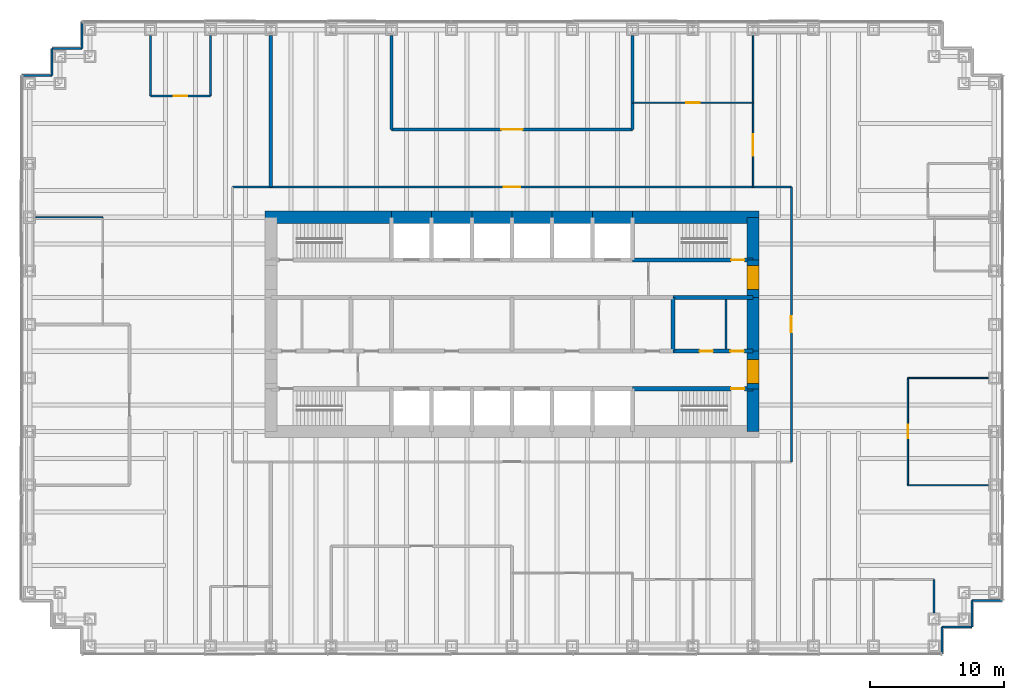
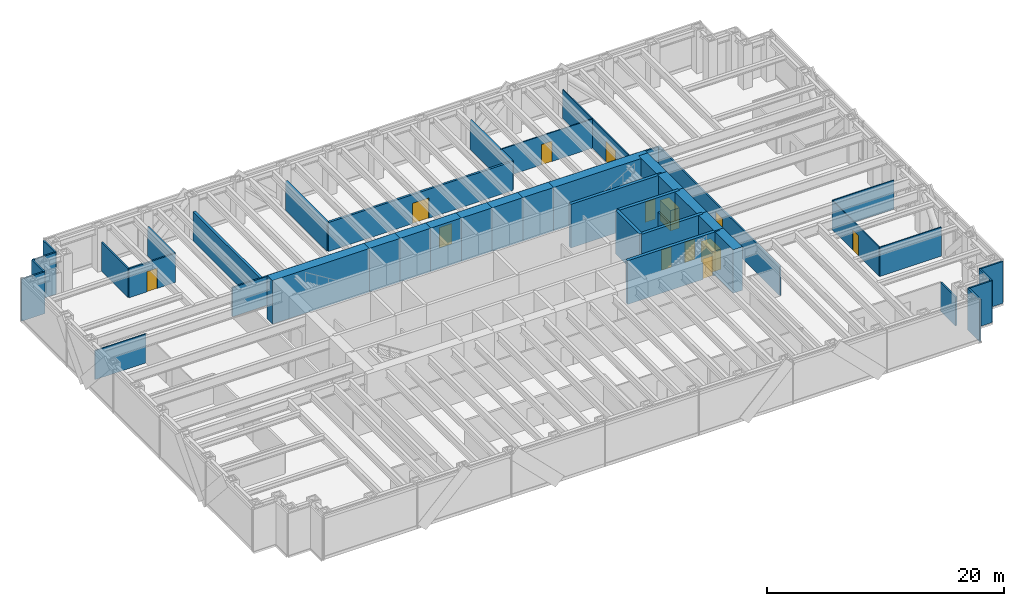
# One storey, part 11 of 13: 43 walls, 13 doors, 13 openings.
"""IFC4 building model written with IfcOpenShell, lengths in metres."""

from ifc_helpers import new_model, si_unit, direction, frame, frame_2d, origin, place, context, subcontext, project, spatial, rectangle, extrude, material, layer, layer_set, type_object, element, fill, save


model = new_model("IFC4")

# Units and contexts
model_context = context("Model", 3, precision=1e-05, world=origin(), true_north=direction((0.0, 1.0)))
body_context = subcontext(model_context, "Body", "Model", "MODEL_VIEW")
ifc_project = project(units=[si_unit("LENGTHUNIT", "METRE"), si_unit("AREAUNIT", "SQUARE_METRE"), si_unit("VOLUMEUNIT", "CUBIC_METRE"), si_unit("PLANEANGLEUNIT", "RADIAN"), si_unit("MASSUNIT", "GRAM", prefix="KILO")], contexts=[model_context])

# Site, building, storey
site_placement = place(None, origin())
site = spatial("IfcSite", under=ifc_project, at=site_placement, CompositionType="ELEMENT")
building_placement = place(site_placement, origin())
building = spatial("IfcBuilding", under=site, at=building_placement, Name="Rheinbord Bourse Tower", CompositionType="ELEMENT")
storey_placement = place(building_placement, frame((0.0, 0.0, 72.5)))
storey = spatial("IfcBuildingStorey", under=building, at=storey_placement, Name="L15", CompositionType="ELEMENT", Elevation=72.5)

# Wall, opening, door
ifc_material_1 = material(Name="Acoustic gypsum board partition", Category="gypsum board")
ifc_layer_1 = layer(ifc_material_1, 0.199951171875)
ifc_layer_set_1 = layer_set([ifc_layer_1], Name="ACOUSTIC PARTITION 200")
wall_type_1 = type_object("IfcWallType", Name="ACOUSTIC PARTITION 200", PredefinedType="PARTITIONING", material=ifc_layer_set_1)
wall_1_placement = place(storey_placement, frame((27.0, 38.550048828125, 0.0), z_axis=(0.0, 0.0, 1.0), x_axis=(1.0, 0.0, 0.0)))
wall_1 = element("IfcWall", 1, at=wall_1_placement, inside=storey, type_object=wall_type_1, Name="Partition L15-18", PredefinedType="PARTITIONING", context=body_context, shape_type="SweptSolid", body=[
    extrude(rectangle(XDim=18.0, YDim=0.199951171875, at=frame_2d((9.0, 0.0))), origin(), (0.0, 0.0, 1.0), 3.0),
])
opening_1_placement = place(wall_1_placement, frame((8.199951171875, 0.0, 0.0)))
opening_1 = element("IfcOpeningElement", 2, at=opening_1_placement, cuts=wall_1, Name="Opening 15D13", PredefinedType="OPENING", context=body_context, shape_type="SweptSolid", body=[
    extrude(rectangle(XDim=1.60009765625, YDim=2.10009765625, at=frame_2d((0.800048828125, 1.050048828125))), frame((0.0, 0.10986328125, 0.0), z_axis=(0.0, -1.0, 0.0), x_axis=(1.0, 0.0, 0.0)), (0.0, 0.0, 1.0), 0.219970703125),
])
ifc_material_2 = material(Name="Timber door", Category="wood")
door_type_1 = type_object("IfcDoorType", Name="DOUBLE ROOM DOOR 1600", OperationType="DOUBLE_DOOR_DOUBLE_SWING", PredefinedType="DOOR", material=ifc_material_2)
door_1_placement = place(opening_1_placement, origin())
door_1 = element("IfcDoor", 3, at=door_1_placement, inside=storey, type_object=door_type_1, Name="Trading room door L15", OperationType="SINGLE_SWING_LEFT", OverallHeight=2.10009765625, OverallWidth=1.60009765625, PredefinedType="DOOR", context=body_context, shape_type="SweptSolid", body=[
    extrude(rectangle(XDim=1.60009765625, YDim=2.10009765625, at=frame_2d((0.800048828125, 1.050048828125))), frame((0.0, 0.02490234375, 0.0), z_axis=(0.0, -1.0, 0.0), x_axis=(1.0, 0.0, 0.0)), (0.0, 0.0, 1.0), 0.050048828125),
])
fill(opening_1, door_1)

# Walls
for number, where, z_axis, x_axis, name in (
    (4, (27.0, 38.550048828125, 0.0), (0.0, 0.0, 1.0), (0.0, 1.0, 0.0), "Partition L15-30"),
    (5, (45.0, 38.550048828125, 0.0), (0.0, 0.0, 1.0), (0.0, 1.0, 0.0), "Partition L15-34"),
):
    element("IfcWall", number, at=place(storey_placement, frame(where, z_axis=z_axis, x_axis=x_axis)), inside=storey, type_object=wall_type_1, Name=name, PredefinedType="PARTITIONING", context=body_context, shape_type="SweptSolid", body=[
        extrude(rectangle(XDim=7.0, YDim=0.199951171875, at=frame_2d((3.5, 0.0))), origin(), (0.0, 0.0, 1.0), 3.0),
    ])

# Wall, opening, door
ifc_material_3 = material(Name="Concrete C50/60", Category="concrete")
ifc_layer_2 = layer(ifc_material_3, 0.300048828125)
ifc_layer_set_2 = layer_set([ifc_layer_2], Name="CORE INNER WALL 300")
wall_type_2 = type_object("IfcWallType", Name="CORE INNER WALL 300", PredefinedType="SOLIDWALL", material=ifc_layer_set_2)
wall_2_placement = place(storey_placement, frame((45.0, 19.199951171875, 0.0), z_axis=(0.0, 0.0, 1.0), x_axis=(1.0, 0.0, 0.0)))
wall_2 = element("IfcWall", 6, at=wall_2_placement, inside=storey, type_object=wall_type_2, Name="Core wall A8 L15", PredefinedType="SOLIDWALL", context=body_context, shape_type="SweptSolid", body=[
    extrude(rectangle(XDim=9.0, YDim=0.300048828125, at=frame_2d((4.5, 0.0))), origin(), (0.0, 0.0, 1.0), 4.5),
])
opening_2_placement = place(wall_2_placement, frame((7.35009765625, 0.0, 0.0)))
opening_2 = element("IfcOpeningElement", 7, at=opening_2_placement, cuts=wall_2, Name="Opening 1530", PredefinedType="OPENING", context=body_context, shape_type="SweptSolid", body=[
    extrude(rectangle(XDim=1.0, YDim=2.10009765625, at=frame_2d((0.5, 1.050048828125))), frame((0.0, 0.159912109375, 0.0), z_axis=(0.0, -1.0, 0.0), x_axis=(1.0, 0.0, 0.0)), (0.0, 0.0, 1.0), 0.320068359375),
])
ifc_material_4 = material(Name="Steel door", Category="steel")
door_type_2 = type_object("IfcDoorType", Name="DOOR 1000 EI30", OperationType="SINGLE_SWING_LEFT", PredefinedType="DOOR", material=ifc_material_4)
door_2_placement = place(opening_2_placement, origin())
door_2 = element("IfcDoor", 8, at=door_2_placement, inside=storey, type_object=door_type_2, Name="Stair door ST3 L15", OperationType="SINGLE_SWING_RIGHT", OverallHeight=2.10009765625, OverallWidth=1.0, PredefinedType="DOOR", context=body_context, shape_type="SweptSolid", body=[
    extrude(rectangle(XDim=1.0, YDim=2.10009765625, at=frame_2d((0.5, 1.050048828125))), frame((0.0, 0.02490234375, 0.0), z_axis=(0.0, -1.0, 0.0), x_axis=(1.0, 0.0, 0.0)), (0.0, 0.0, 1.0), 0.050048828125),
])
fill(opening_2, door_2)

wall_3_placement = place(storey_placement, frame((45.0, 28.800048828125, 0.0), z_axis=(0.0, 0.0, 1.0), x_axis=(1.0, 0.0, 0.0)))
wall_3 = element("IfcWall", 9, at=wall_3_placement, inside=storey, type_object=wall_type_2, Name="Core wall B8 L15", PredefinedType="SOLIDWALL", context=body_context, shape_type="SweptSolid", body=[
    extrude(rectangle(XDim=9.0, YDim=0.300048828125, at=frame_2d((4.5, 0.0))), origin(), (0.0, 0.0, 1.0), 4.5),
])
opening_3_placement = place(wall_3_placement, frame((7.35009765625, 0.0, 0.0)))
opening_3 = element("IfcOpeningElement", 10, at=opening_3_placement, cuts=wall_3, Name="Opening 1540", PredefinedType="OPENING", context=body_context, shape_type="SweptSolid", body=[
    extrude(rectangle(XDim=1.0, YDim=2.10009765625, at=frame_2d((0.5, 1.050048828125))), frame((0.0, 0.159912109375, 0.0), z_axis=(0.0, -1.0, 0.0), x_axis=(1.0, 0.0, 0.0)), (0.0, 0.0, 1.0), 0.320068359375),
])
door_3_placement = place(opening_3_placement, origin())
door_3 = element("IfcDoor", 11, at=door_3_placement, inside=storey, type_object=door_type_2, Name="Stair door ST4 L15", OperationType="SINGLE_SWING_RIGHT", OverallHeight=2.10009765625, OverallWidth=1.0, PredefinedType="DOOR", context=body_context, shape_type="SweptSolid", body=[
    extrude(rectangle(XDim=1.0, YDim=2.10009765625, at=frame_2d((0.5, 1.050048828125))), frame((0.0, 0.02490234375, 0.0), z_axis=(0.0, -1.0, 0.0), x_axis=(1.0, 0.0, 0.0)), (0.0, 0.0, 1.0), 0.050048828125),
])
fill(opening_3, door_3)

# Wall, openings, doors
wall_4_placement = place(storey_placement, frame((48.0, 22.0, 0.0), z_axis=(0.0, 0.0, 1.0), x_axis=(1.0, 0.0, 0.0)))
wall_4 = element("IfcWall", 12, at=wall_4_placement, inside=storey, type_object=wall_type_2, Name="Core wall C6 L15", PredefinedType="SOLIDWALL", context=body_context, shape_type="SweptSolid", body=[
    extrude(rectangle(XDim=6.0, YDim=0.300048828125, at=frame_2d((3.0, 0.0))), origin(), (0.0, 0.0, 1.0), 4.5),
])
opening_4_placement = place(wall_4_placement, frame((2.0, 0.0, 0.0)))
opening_4 = element("IfcOpeningElement", 13, at=opening_4_placement, cuts=wall_4, Name="Opening 15R6", PredefinedType="OPENING", context=body_context, shape_type="SweptSolid", body=[
    extrude(rectangle(XDim=1.0, YDim=2.10009765625, at=frame_2d((0.5, 1.050048828125))), frame((0.0, 0.159912109375, 0.0), z_axis=(0.0, -1.0, 0.0), x_axis=(1.0, 0.0, 0.0)), (0.0, 0.0, 1.0), 0.320068359375),
])
opening_5_placement = place(wall_4_placement, frame((4.300048828125, 0.0, 0.0)))
opening_5 = element("IfcOpeningElement", 14, at=opening_5_placement, cuts=wall_4, Name="Opening 15R10", PredefinedType="OPENING", context=body_context, shape_type="SweptSolid", body=[
    extrude(rectangle(XDim=1.0, YDim=2.10009765625, at=frame_2d((0.5, 1.050048828125))), frame((0.0, 0.159912109375, 0.0), z_axis=(0.0, -1.0, 0.0), x_axis=(1.0, 0.0, 0.0)), (0.0, 0.0, 1.0), 0.320068359375),
])
door_4_placement = place(opening_5_placement, origin())
door_4 = element("IfcDoor", 15, at=door_4_placement, inside=storey, type_object=door_type_2, Name="Cleaner's store door L15", OperationType="SINGLE_SWING_RIGHT", OverallHeight=2.10009765625, OverallWidth=1.0, PredefinedType="DOOR", context=body_context, shape_type="SweptSolid", body=[
    extrude(rectangle(XDim=1.0, YDim=2.10009765625, at=frame_2d((0.5, 1.050048828125))), frame((0.0, 0.02490234375, 0.0), z_axis=(0.0, -1.0, 0.0), x_axis=(1.0, 0.0, 0.0)), (0.0, 0.0, 1.0), 0.050048828125),
])
fill(opening_5, door_4)
ifc_material_5 = material(Name="Timber door", Category="wood")
door_type_3 = type_object("IfcDoorType", Name="DOOR 1000 WC", OperationType="SINGLE_SWING_LEFT", PredefinedType="DOOR", material=ifc_material_5)
door_5_placement = place(opening_4_placement, origin())
door_5 = element("IfcDoor", 16, at=door_5_placement, inside=storey, type_object=door_type_3, Name="WC women door L15", OperationType="SINGLE_SWING_LEFT", OverallHeight=2.10009765625, OverallWidth=1.0, PredefinedType="DOOR", context=body_context, shape_type="SweptSolid", body=[
    extrude(rectangle(XDim=1.0, YDim=2.10009765625, at=frame_2d((0.5, 1.050048828125))), frame((0.0, 0.02490234375, 0.0), z_axis=(0.0, -1.0, 0.0), x_axis=(1.0, 0.0, 0.0)), (0.0, 0.0, 1.0), 0.050048828125),
])
fill(opening_4, door_5)

# Walls
wall_5_placement = place(storey_placement, frame((48.0, 26.0, 0.0), z_axis=(0.0, 0.0, 1.0), x_axis=(1.0, 0.0, 0.0)))
element("IfcWall", 17, at=wall_5_placement, inside=storey, type_object=wall_type_2, Name="Core wall D6 L15", PredefinedType="SOLIDWALL", context=body_context, shape_type="SweptSolid", body=[
    extrude(rectangle(XDim=6.0, YDim=0.300048828125, at=frame_2d((3.0, 0.0))), origin(), (0.0, 0.0, 1.0), 4.5),
])
wall_6_placement = place(storey_placement, frame((48.0, 22.0, 0.0), z_axis=(0.0, 0.0, 1.0), x_axis=(0.0, 1.0, 0.0)))
element("IfcWall", 18, at=wall_6_placement, inside=storey, type_object=wall_type_2, Name="Core wall MX48 L15", PredefinedType="SOLIDWALL", context=body_context, shape_type="SweptSolid", body=[
    extrude(rectangle(XDim=4.0, YDim=0.300048828125, at=frame_2d((2.0, 0.0))), origin(), (0.0, 0.0, 1.0), 4.5),
])
ifc_material_6 = material(Name="Gypsum board fire partition", Category="gypsum board")
ifc_layer_3 = layer(ifc_material_6, 0.14990234375)
ifc_layer_set_3 = layer_set([ifc_layer_3], Name="CORE PARTITION 150 EI30")
wall_type_3 = type_object("IfcWallType", Name="CORE PARTITION 150 EI30", PredefinedType="PARTITIONING", material=ifc_layer_set_3)
wall_7_placement = place(storey_placement, frame((51.97509765625, 22.14990234375, 0.0), z_axis=(0.0, 0.0, 1.0), x_axis=(0.0, 1.0, 0.0)))
element("IfcWall", 19, at=wall_7_placement, inside=storey, type_object=wall_type_3, Name="Core partition L15-3", PredefinedType="PARTITIONING", context=body_context, shape_type="SweptSolid", body=[
    extrude(rectangle(XDim=3.7001953125, YDim=0.14990234375, at=frame_2d((1.85009765625, 0.0))), origin(), (0.0, 0.0, 1.0), 3.0),
])
ifc_material_7 = material(Name="Concrete C50/60", Category="concrete")
ifc_layer_4 = layer(ifc_material_7, 0.89990234375)
ifc_layer_set_4 = layer_set([ifc_layer_4], Name="CORE WALL 900")
wall_type_4 = type_object("IfcWallType", Name="CORE WALL 900", PredefinedType="SHEAR", material=ifc_layer_set_4)
wall_8_placement = place(storey_placement, frame((54.449951171875, 32.0, 0.0), z_axis=(0.0, 0.0, 1.0), x_axis=(-1.0, 0.0, 0.0)))
element("IfcWall", 20, at=wall_8_placement, inside=storey, type_object=wall_type_4, Name="Core wall N1 L15", PredefinedType="SHEAR", context=body_context, shape_type="SweptSolid", body=[
    extrude(rectangle(XDim=9.449951171875, YDim=0.89990234375, at=frame_2d((4.72509765625, 0.0))), origin(), (0.0, 0.0, 1.0), 4.5),
])
for number, where, z_axis, x_axis, name in (
    (21, (45.0, 32.0, 0.0), (0.0, 0.0, 1.0), (-1.0, 0.0, 0.0), "Core wall N2 L15"),
    (22, (42.0, 32.0, 0.0), (0.0, 0.0, 1.0), (-1.0, 0.0, 0.0), "Core wall N3 L15"),
    (23, (39.0, 32.0, 0.0), (0.0, 0.0, 1.0), (-1.0, 0.0, 0.0), "Core wall N4 L15"),
    (24, (36.0, 32.0, 0.0), (0.0, 0.0, 1.0), (-1.0, 0.0, 0.0), "Core wall N5 L15"),
    (25, (33.0, 32.0, 0.0), (0.0, 0.0, 1.0), (-1.0, 0.0, 0.0), "Core wall N6 L15"),
    (26, (30.0, 32.0, 0.0), (0.0, 0.0, 1.0), (-1.0, 0.0, 0.0), "Core wall N7 L15"),
):
    element("IfcWall", number, at=place(storey_placement, frame(where, z_axis=z_axis, x_axis=x_axis)), inside=storey, type_object=wall_type_4, Name=name, PredefinedType="SHEAR", context=body_context, shape_type="SweptSolid", body=[
        extrude(rectangle(XDim=3.0, YDim=0.89990234375, at=frame_2d((1.5, 0.0))), origin(), (0.0, 0.0, 1.0), 4.5),
    ])
wall_9_placement = place(storey_placement, frame((27.0, 32.0, 0.0), z_axis=(0.0, 0.0, 1.0), x_axis=(-1.0, 0.0, 0.0)))
element("IfcWall", 27, at=wall_9_placement, inside=storey, type_object=wall_type_4, Name="Core wall N8 L15", PredefinedType="SHEAR", context=body_context, shape_type="SweptSolid", body=[
    extrude(rectangle(XDim=9.449951171875, YDim=0.89990234375, at=frame_2d((4.72509765625, 0.0))), origin(), (0.0, 0.0, 1.0), 4.5),
])
wall_10_placement = place(storey_placement, frame((54.0, 16.0, 0.0), z_axis=(0.0, 0.0, 1.0), x_axis=(0.0, 1.0, 0.0)))
element("IfcWall", 28, at=wall_10_placement, inside=storey, type_object=wall_type_4, Name="Core wall E1 L15", PredefinedType="SHEAR", context=body_context, shape_type="SweptSolid", body=[
    extrude(rectangle(XDim=3.199951171875, YDim=0.89990234375, at=frame_2d((1.60009765625, 0.0))), origin(), (0.0, 0.0, 1.0), 4.5),
])

# Wall, opening, door
wall_11_placement = place(storey_placement, frame((54.0, 19.199951171875, 0.0), z_axis=(0.0, 0.0, 1.0), x_axis=(0.0, 1.0, 0.0)))
wall_11 = element("IfcWall", 29, at=wall_11_placement, inside=storey, type_object=wall_type_4, Name="Core wall E2 L15", PredefinedType="SHEAR", context=body_context, shape_type="SweptSolid", body=[
    extrude(rectangle(XDim=2.800048828125, YDim=0.89990234375, at=frame_2d((1.39990234375, 0.0))), origin(), (0.0, 0.0, 1.0), 4.5),
])
opening_6_placement = place(wall_11_placement, frame((0.39990234375, 0.0, 0.0)))
opening_6 = element("IfcOpeningElement", 30, at=opening_6_placement, cuts=wall_11, Name="Opening 15L3", PredefinedType="OPENING", context=body_context, shape_type="SweptSolid", body=[
    extrude(rectangle(XDim=1.800048828125, YDim=2.10009765625, at=frame_2d((0.89990234375, 1.050048828125))), frame((0.0, 0.4599609375, 0.0), z_axis=(0.0, -1.0, 0.0), x_axis=(1.0, 0.0, 0.0)), (0.0, 0.0, 1.0), 0.919921875),
])
ifc_material_8 = material(Name="Steel door", Category="steel")
door_type_4 = type_object("IfcDoorType", Name="DOOR 1800 EI30 DOUBLE", OperationType="DOUBLE_DOOR_DOUBLE_SWING", PredefinedType="DOOR", material=ifc_material_8)
door_6_placement = place(opening_6_placement, origin())
door_6 = element("IfcDoor", 31, at=door_6_placement, inside=storey, type_object=door_type_4, Name="Lobby door 3 L15", OperationType="SINGLE_SWING_LEFT", OverallHeight=2.10009765625, OverallWidth=1.800048828125, PredefinedType="DOOR", context=body_context, shape_type="SweptSolid", body=[
    extrude(rectangle(XDim=1.800048828125, YDim=2.10009765625, at=frame_2d((0.89990234375, 1.050048828125))), frame((0.0, 0.44970703125, 0.0), z_axis=(0.0, -1.0, 0.0), x_axis=(1.0, 0.0, 0.0)), (0.0, 0.0, 1.0), 0.8994140625),
])
fill(opening_6, door_6)

# Wall
wall_12_placement = place(storey_placement, frame((54.0, 22.0, 0.0), z_axis=(0.0, 0.0, 1.0), x_axis=(0.0, 1.0, 0.0)))
element("IfcWall", 32, at=wall_12_placement, inside=storey, type_object=wall_type_4, Name="Core wall E3 L15", PredefinedType="SHEAR", context=body_context, shape_type="SweptSolid", body=[
    extrude(rectangle(XDim=4.0, YDim=0.89990234375, at=frame_2d((2.0, 0.0))), origin(), (0.0, 0.0, 1.0), 4.5),
])

# Wall, opening, door
wall_13_placement = place(storey_placement, frame((54.0, 26.0, 0.0), z_axis=(0.0, 0.0, 1.0), x_axis=(0.0, 1.0, 0.0)))
wall_13 = element("IfcWall", 33, at=wall_13_placement, inside=storey, type_object=wall_type_4, Name="Core wall E4 L15", PredefinedType="SHEAR", context=body_context, shape_type="SweptSolid", body=[
    extrude(rectangle(XDim=2.800048828125, YDim=0.89990234375, at=frame_2d((1.39990234375, 0.0))), origin(), (0.0, 0.0, 1.0), 4.5),
])
opening_7_placement = place(wall_13_placement, frame((0.60009765625, 0.0, 0.0)))
opening_7 = element("IfcOpeningElement", 34, at=opening_7_placement, cuts=wall_13, Name="Opening 15L4", PredefinedType="OPENING", context=body_context, shape_type="SweptSolid", body=[
    extrude(rectangle(XDim=1.800048828125, YDim=2.10009765625, at=frame_2d((0.89990234375, 1.050048828125))), frame((0.0, 0.4599609375, 0.0), z_axis=(0.0, -1.0, 0.0), x_axis=(1.0, 0.0, 0.0)), (0.0, 0.0, 1.0), 0.919921875),
])
door_7_placement = place(opening_7_placement, origin())
door_7 = element("IfcDoor", 35, at=door_7_placement, inside=storey, type_object=door_type_4, Name="Lobby door 4 L15", OperationType="SINGLE_SWING_LEFT", OverallHeight=2.10009765625, OverallWidth=1.800048828125, PredefinedType="DOOR", context=body_context, shape_type="SweptSolid", body=[
    extrude(rectangle(XDim=1.800048828125, YDim=2.10009765625, at=frame_2d((0.89990234375, 1.050048828125))), frame((0.0, 0.44970703125, 0.0), z_axis=(0.0, -1.0, 0.0), x_axis=(1.0, 0.0, 0.0)), (0.0, 0.0, 1.0), 0.8994140625),
])
fill(opening_7, door_7)

# Walls
wall_14_placement = place(storey_placement, frame((54.0, 28.800048828125, 0.0), z_axis=(0.0, 0.0, 1.0), x_axis=(0.0, 1.0, 0.0)))
element("IfcWall", 36, at=wall_14_placement, inside=storey, type_object=wall_type_4, Name="Core wall E5 L15", PredefinedType="SHEAR", context=body_context, shape_type="SweptSolid", body=[
    extrude(rectangle(XDim=3.199951171875, YDim=0.89990234375, at=frame_2d((1.60009765625, 0.0))), origin(), (0.0, 0.0, 1.0), 4.5),
])
ifc_material_9 = material(Name="Black metal rainscreen panel", Category="aluminium")
ifc_layer_5 = layer(ifc_material_9, 0.14990234375)
ifc_layer_set_5 = layer_set([ifc_layer_5], Name="CORNER PIER CLADDING 150")
wall_type_5 = type_object("IfcWallType", Name="CORNER PIER CLADDING 150", PredefinedType="ELEMENTEDWALL", material=ifc_layer_set_5)
wall_15_placement = place(storey_placement, frame((68.10009765625, -0.60009765625, 0.0), z_axis=(0.0, 0.0, 1.0), x_axis=(0.0, 1.0, 0.0)))
element("IfcWall", 37, at=wall_15_placement, inside=storey, type_object=wall_type_5, Name="Corner pier cladding L15 2", PredefinedType="ELEMENTEDWALL", context=body_context, shape_type="SweptSolid", body=[
    extrude(rectangle(XDim=2.0, YDim=0.14990234375, at=frame_2d((1.0, 0.0))), origin(), (0.0, 0.0, 1.0), 4.320068359375),
])
wall_16_placement = place(storey_placement, frame((68.10009765625, 1.39990234375, 0.0), z_axis=(0.0, 0.0, 1.0), x_axis=(1.0, 0.0, 0.0)))
element("IfcWall", 38, at=wall_16_placement, inside=storey, type_object=wall_type_5, Name="Corner pier cladding L15 3", PredefinedType="ELEMENTEDWALL", context=body_context, shape_type="SweptSolid", body=[
    extrude(rectangle(XDim=2.25, YDim=0.14990234375, at=frame_2d((1.125, 0.0))), origin(), (0.0, 0.0, 1.0), 4.320068359375),
])
wall_17_placement = place(storey_placement, frame((70.35009765625, 1.39990234375, 0.0), z_axis=(0.0, 0.0, 1.0), x_axis=(0.0, 1.0, 0.0)))
element("IfcWall", 39, at=wall_17_placement, inside=storey, type_object=wall_type_5, Name="Corner pier cladding L15 4", PredefinedType="ELEMENTEDWALL", context=body_context, shape_type="SweptSolid", body=[
    extrude(rectangle(XDim=2.0, YDim=0.14990234375, at=frame_2d((1.0, 0.0))), origin(), (0.0, 0.0, 1.0), 4.320068359375),
])
wall_18_placement = place(storey_placement, frame((70.35009765625, 3.39990234375, 0.0), z_axis=(0.0, 0.0, 1.0), x_axis=(1.0, 0.0, 0.0)))
element("IfcWall", 40, at=wall_18_placement, inside=storey, type_object=wall_type_5, Name="Corner pier cladding L15 5", PredefinedType="ELEMENTEDWALL", context=body_context, shape_type="SweptSolid", body=[
    extrude(rectangle(XDim=2.25, YDim=0.14990234375, at=frame_2d((1.125, 0.0))), origin(), (0.0, 0.0, 1.0), 4.320068359375),
])
wall_19_placement = place(storey_placement, frame((3.89990234375, 46.60009765625, 0.0), z_axis=(0.0, 0.0, 1.0), x_axis=(0.0, -1.0, 0.0)))
element("IfcWall", 41, at=wall_19_placement, inside=storey, type_object=wall_type_5, Name="Corner pier cladding L15 12", PredefinedType="ELEMENTEDWALL", context=body_context, shape_type="SweptSolid", body=[
    extrude(rectangle(XDim=2.0, YDim=0.14990234375, at=frame_2d((1.0, 0.0))), origin(), (0.0, 0.0, 1.0), 4.320068359375),
])
wall_20_placement = place(storey_placement, frame((3.89990234375, 44.60009765625, 0.0), z_axis=(0.0, 0.0, 1.0), x_axis=(-1.0, 0.0, 0.0)))
element("IfcWall", 42, at=wall_20_placement, inside=storey, type_object=wall_type_5, Name="Corner pier cladding L15 13", PredefinedType="ELEMENTEDWALL", context=body_context, shape_type="SweptSolid", body=[
    extrude(rectangle(XDim=2.25, YDim=0.14990234375, at=frame_2d((1.125, 0.0))), origin(), (0.0, 0.0, 1.0), 4.320068359375),
])
wall_21_placement = place(storey_placement, frame((1.64990234375, 44.60009765625, 0.0), z_axis=(0.0, 0.0, 1.0), x_axis=(0.0, -1.0, 0.0)))
element("IfcWall", 43, at=wall_21_placement, inside=storey, type_object=wall_type_5, Name="Corner pier cladding L15 14", PredefinedType="ELEMENTEDWALL", context=body_context, shape_type="SweptSolid", body=[
    extrude(rectangle(XDim=2.0, YDim=0.14990234375, at=frame_2d((1.0, 0.0))), origin(), (0.0, 0.0, 1.0), 4.320068359375),
])
wall_22_placement = place(storey_placement, frame((1.64990234375, 42.60009765625, 0.0), z_axis=(0.0, 0.0, 1.0), x_axis=(-1.0, 0.0, 0.0)))
element("IfcWall", 44, at=wall_22_placement, inside=storey, type_object=wall_type_5, Name="Corner pier cladding L15 15", PredefinedType="ELEMENTEDWALL", context=body_context, shape_type="SweptSolid", body=[
    extrude(rectangle(XDim=2.25, YDim=0.14990234375, at=frame_2d((1.125, 0.0))), origin(), (0.0, 0.0, 1.0), 4.320068359375),
])

# Wall, opening, door
ifc_material_10 = material(Name="Gypsum board corridor partition", Category="gypsum board")
ifc_layer_6 = layer(ifc_material_10, 0.14990234375)
ifc_layer_set_6 = layer_set([ifc_layer_6], Name="CORRIDOR PARTITION 150 EI30")
wall_type_6 = type_object("IfcWallType", Name="CORRIDOR PARTITION 150 EI30", PredefinedType="PARTITIONING", material=ifc_layer_set_6)
wall_23_placement = place(storey_placement, frame((15.14990234375, 34.25, 0.0), z_axis=(0.0, 0.0, 1.0), x_axis=(1.0, 0.0, 0.0)))
wall_23 = element("IfcWall", 45, at=wall_23_placement, inside=storey, type_object=wall_type_6, Name="Partition L15-16", PredefinedType="PARTITIONING", context=body_context, shape_type="SweptSolid", body=[
    extrude(rectangle(XDim=41.7001953125, YDim=0.14990234375, at=frame_2d((20.85009765625, 0.0))), origin(), (0.0, 0.0, 1.0), 3.0),
])
opening_8_placement = place(wall_23_placement, frame((20.25, 0.0, 0.0)))
opening_8 = element("IfcOpeningElement", 46, at=opening_8_placement, cuts=wall_23, Name="Opening 15D19", PredefinedType="OPENING", context=body_context, shape_type="SweptSolid", body=[
    extrude(rectangle(XDim=1.199951171875, YDim=2.10009765625, at=frame_2d((0.60009765625, 1.050048828125))), frame((0.0, 0.0849609375, 0.0), z_axis=(0.0, -1.0, 0.0), x_axis=(1.0, 0.0, 0.0)), (0.0, 0.0, 1.0), 0.169921875),
])
ifc_material_11 = material(Name="Timber fire door", Category="wood")
door_type_5 = type_object("IfcDoorType", Name="SUITE ENTRANCE DOOR 1200 EI30", OperationType="SINGLE_SWING_LEFT", PredefinedType="DOOR", material=ifc_material_11)
door_8_placement = place(opening_8_placement, origin())
door_8 = element("IfcDoor", 47, at=door_8_placement, inside=storey, type_object=door_type_5, Name="Suite entrance 3 door L15", OperationType="SINGLE_SWING_LEFT", OverallHeight=2.10009765625, OverallWidth=1.199951171875, PredefinedType="DOOR", context=body_context, shape_type="SweptSolid", body=[
    extrude(rectangle(XDim=1.199951171875, YDim=2.10009765625, at=frame_2d((0.60009765625, 1.050048828125))), frame((0.0, 0.02490234375, 0.0), z_axis=(0.0, -1.0, 0.0), x_axis=(1.0, 0.0, 0.0)), (0.0, 0.0, 1.0), 0.050048828125),
])
fill(opening_8, door_8)

wall_24_placement = place(storey_placement, frame((56.85009765625, 13.75, 0.0), z_axis=(0.0, 0.0, 1.0), x_axis=(0.0, 1.0, 0.0)))
wall_24 = element("IfcWall", 48, at=wall_24_placement, inside=storey, type_object=wall_type_6, Name="Partition L15-38", PredefinedType="PARTITIONING", context=body_context, shape_type="SweptSolid", body=[
    extrude(rectangle(XDim=20.5, YDim=0.14990234375, at=frame_2d((10.25, 0.0))), origin(), (0.0, 0.0, 1.0), 3.0),
])
opening_9_placement = place(wall_24_placement, frame((9.64990234375, 0.0, 0.0)))
opening_9 = element("IfcOpeningElement", 49, at=opening_9_placement, cuts=wall_24, Name="Opening 15D20", PredefinedType="OPENING", context=body_context, shape_type="SweptSolid", body=[
    extrude(rectangle(XDim=1.199951171875, YDim=2.10009765625, at=frame_2d((0.60009765625, 1.050048828125))), frame((0.0, 0.0849609375, 0.0), z_axis=(0.0, -1.0, 0.0), x_axis=(1.0, 0.0, 0.0)), (0.0, 0.0, 1.0), 0.169921875),
])
door_9_placement = place(opening_9_placement, origin())
door_9 = element("IfcDoor", 50, at=door_9_placement, inside=storey, type_object=door_type_5, Name="Suite entrance 4 door L15", OperationType="SINGLE_SWING_LEFT", OverallHeight=2.10009765625, OverallWidth=1.199951171875, PredefinedType="DOOR", context=body_context, shape_type="SweptSolid", body=[
    extrude(rectangle(XDim=1.199951171875, YDim=2.10009765625, at=frame_2d((0.60009765625, 1.050048828125))), frame((0.0, 0.02490234375, 0.0), z_axis=(0.0, -1.0, 0.0), x_axis=(1.0, 0.0, 0.0)), (0.0, 0.0, 1.0), 0.050048828125),
])
fill(opening_9, door_9)

# Walls
ifc_material_12 = material(Name="Gypsum board tenancy wall", Category="gypsum board")
ifc_layer_7 = layer(ifc_material_12, 0.25)
ifc_layer_set_7 = layer_set([ifc_layer_7], Name="DEMISING PARTITION 250 EI60")
wall_type_7 = type_object("IfcWallType", Name="DEMISING PARTITION 250 EI60", PredefinedType="PARTITIONING", material=ifc_layer_set_7)
wall_25_placement = place(storey_placement, frame((18.0, 34.25, 0.0), z_axis=(0.0, 0.0, 1.0), x_axis=(0.0, 1.0, 0.0)))
element("IfcWall", 51, at=wall_25_placement, inside=storey, type_object=wall_type_7, Name="Partition L15-28", PredefinedType="PARTITIONING", context=body_context, shape_type="SweptSolid", body=[
    extrude(rectangle(XDim=11.300048828125, YDim=0.25, at=frame_2d((5.64990234375, 0.0))), origin(), (0.0, 0.0, 1.0), 3.0),
])
ifc_material_13 = material(Name="Toughened laminated glass partition", Category="glass")
ifc_layer_8 = layer(ifc_material_13, 0.10009765625)
ifc_layer_set_8 = layer_set([ifc_layer_8], Name="GLAZED PARTITION 100")
wall_type_8 = type_object("IfcWallType", Name="GLAZED PARTITION 100", PredefinedType="PARTITIONING", material=ifc_layer_set_8)
for number, where, z_axis, x_axis, name in (
    (52, (65.550048828125, 12.0, 0.0), (0.0, 0.0, 1.0), (1.0, 0.0, 0.0), "Partition L15-08"),
    (53, (65.550048828125, 20.0, 0.0), (0.0, 0.0, 1.0), (1.0, 0.0, 0.0), "Partition L15-10"),
):
    element("IfcWall", number, at=place(storey_placement, frame(where, z_axis=z_axis, x_axis=x_axis)), inside=storey, type_object=wall_type_8, Name=name, PredefinedType="PARTITIONING", context=body_context, shape_type="SweptSolid", body=[
        extrude(rectangle(XDim=6.0, YDim=0.10009765625, at=frame_2d((3.0, 0.0))), origin(), (0.0, 0.0, 1.0), 3.0),
    ])
wall_26_placement = place(storey_placement, frame((0.449951171875, 32.0, 0.0), z_axis=(0.0, 0.0, 1.0), x_axis=(1.0, 0.0, 0.0)))
element("IfcWall", 54, at=wall_26_placement, inside=storey, type_object=wall_type_8, Name="Partition L15-13", PredefinedType="PARTITIONING", context=body_context, shape_type="SweptSolid", body=[
    extrude(rectangle(XDim=5.0, YDim=0.10009765625, at=frame_2d((2.5, 0.0))), origin(), (0.0, 0.0, 1.0), 3.0),
])

# Wall, opening, door
wall_27_placement = place(storey_placement, frame((45.0, 40.550048828125, 0.0), z_axis=(0.0, 0.0, 1.0), x_axis=(1.0, 0.0, 0.0)))
wall_27 = element("IfcWall", 55, at=wall_27_placement, inside=storey, type_object=wall_type_8, Name="Partition L15-19", PredefinedType="PARTITIONING", context=body_context, shape_type="SweptSolid", body=[
    extrude(rectangle(XDim=9.0, YDim=0.10009765625, at=frame_2d((4.5, 0.0))), origin(), (0.0, 0.0, 1.0), 3.0),
])
opening_10_placement = place(wall_27_placement, frame((4.0, 0.0, 0.0)))
opening_10 = element("IfcOpeningElement", 56, at=opening_10_placement, cuts=wall_27, Name="Opening 15D14", PredefinedType="OPENING", context=body_context, shape_type="SweptSolid", body=[
    extrude(rectangle(XDim=1.0, YDim=2.10009765625, at=frame_2d((0.5, 1.050048828125))), frame((0.0, 0.06005859375, 0.0), z_axis=(0.0, -1.0, 0.0), x_axis=(1.0, 0.0, 0.0)), (0.0, 0.0, 1.0), 0.1201171875),
])
ifc_material_14 = material(Name="Timber door", Category="wood")
door_type_6 = type_object("IfcDoorType", Name="ROOM DOOR 1000", OperationType="SINGLE_SWING_LEFT", PredefinedType="DOOR", material=ifc_material_14)
door_10_placement = place(opening_10_placement, origin())
door_10 = element("IfcDoor", 57, at=door_10_placement, inside=storey, type_object=door_type_6, Name="Meeting room door L15", OperationType="SINGLE_SWING_LEFT", OverallHeight=2.10009765625, OverallWidth=1.0, PredefinedType="DOOR", context=body_context, shape_type="SweptSolid", body=[
    extrude(rectangle(XDim=1.0, YDim=2.10009765625, at=frame_2d((0.5, 1.050048828125))), frame((0.0, 0.02490234375, 0.0), z_axis=(0.0, -1.0, 0.0), x_axis=(1.0, 0.0, 0.0)), (0.0, 0.0, 1.0), 0.050048828125),
])
fill(opening_10, door_10)

wall_28_placement = place(storey_placement, frame((54.0, 34.25, 0.0), z_axis=(0.0, 0.0, 1.0), x_axis=(0.0, 1.0, 0.0)))
wall_28 = element("IfcWall", 58, at=wall_28_placement, inside=storey, type_object=wall_type_8, Name="Partition L15-37", PredefinedType="PARTITIONING", context=body_context, shape_type="SweptSolid", body=[
    extrude(rectangle(XDim=11.300048828125, YDim=0.10009765625, at=frame_2d((5.64990234375, 0.0))), origin(), (0.0, 0.0, 1.0), 3.0),
])
opening_11_placement = place(wall_28_placement, frame((2.35009765625, 0.0, 0.0)))
opening_11 = element("IfcOpeningElement", 59, at=opening_11_placement, cuts=wall_28, Name="Opening 15D16", PredefinedType="OPENING", context=body_context, shape_type="SweptSolid", body=[
    extrude(rectangle(XDim=1.60009765625, YDim=2.10009765625, at=frame_2d((0.800048828125, 1.050048828125))), frame((0.0, 0.06005859375, 0.0), z_axis=(0.0, -1.0, 0.0), x_axis=(1.0, 0.0, 0.0)), (0.0, 0.0, 1.0), 0.1201171875),
])
door_11_placement = place(opening_11_placement, origin())
door_11 = element("IfcDoor", 60, at=door_11_placement, inside=storey, type_object=door_type_1, Name="Open area door L15", OperationType="SINGLE_SWING_LEFT", OverallHeight=2.10009765625, OverallWidth=1.60009765625, PredefinedType="DOOR", context=body_context, shape_type="SweptSolid", body=[
    extrude(rectangle(XDim=1.60009765625, YDim=2.10009765625, at=frame_2d((0.800048828125, 1.050048828125))), frame((0.0, 0.02490234375, 0.0), z_axis=(0.0, -1.0, 0.0), x_axis=(1.0, 0.0, 0.0)), (0.0, 0.0, 1.0), 0.050048828125),
])
fill(opening_11, door_11)

wall_29_placement = place(storey_placement, frame((65.550048828125, 12.0, 0.0), z_axis=(0.0, 0.0, 1.0), x_axis=(0.0, 1.0, 0.0)))
wall_29 = element("IfcWall", 61, at=wall_29_placement, inside=storey, type_object=wall_type_8, Name="Partition L15-41", PredefinedType="PARTITIONING", context=body_context, shape_type="SweptSolid", body=[
    extrude(rectangle(XDim=8.0, YDim=0.10009765625, at=frame_2d((4.0, 0.0))), origin(), (0.0, 0.0, 1.0), 3.0),
])
opening_12_placement = place(wall_29_placement, frame((3.5, 0.0, 0.0)))
opening_12 = element("IfcOpeningElement", 62, at=opening_12_placement, cuts=wall_29, Name="Opening 15D08", PredefinedType="OPENING", context=body_context, shape_type="SweptSolid", body=[
    extrude(rectangle(XDim=1.0, YDim=2.10009765625, at=frame_2d((0.5, 1.050048828125))), frame((0.0, 0.06005859375, 0.0), z_axis=(0.0, -1.0, 0.0), x_axis=(1.0, 0.0, 0.0)), (0.0, 0.0, 1.0), 0.1201171875),
])
door_12_placement = place(opening_12_placement, origin())
door_12 = element("IfcDoor", 63, at=door_12_placement, inside=storey, type_object=door_type_6, Name="Focus room door L15", OperationType="SINGLE_SWING_LEFT", OverallHeight=2.10009765625, OverallWidth=1.0, PredefinedType="DOOR", context=body_context, shape_type="SweptSolid", body=[
    extrude(rectangle(XDim=1.0, YDim=2.10009765625, at=frame_2d((0.5, 1.050048828125))), frame((0.0, 0.02490234375, 0.0), z_axis=(0.0, -1.0, 0.0), x_axis=(1.0, 0.0, 0.0)), (0.0, 0.0, 1.0), 0.050048828125),
])
fill(opening_12, door_12)

ifc_material_15 = material(Name="Gypsum board partition", Category="gypsum board")
ifc_layer_9 = layer(ifc_material_15, 0.14990234375)
ifc_layer_set_9 = layer_set([ifc_layer_9], Name="PARTITION 150")
wall_type_9 = type_object("IfcWallType", Name="PARTITION 150", PredefinedType="PARTITIONING", material=ifc_layer_set_9)
wall_30_placement = place(storey_placement, frame((9.0, 41.050048828125, 0.0), z_axis=(0.0, 0.0, 1.0), x_axis=(1.0, 0.0, 0.0)))
wall_30 = element("IfcWall", 64, at=wall_30_placement, inside=storey, type_object=wall_type_9, Name="Partition L15-20", PredefinedType="PARTITIONING", context=body_context, shape_type="SweptSolid", body=[
    extrude(rectangle(XDim=4.5, YDim=0.14990234375, at=frame_2d((2.25, 0.0))), origin(), (0.0, 0.0, 1.0), 3.0),
])
opening_13_placement = place(wall_30_placement, frame((1.75, 0.0, 0.0)))
opening_13 = element("IfcOpeningElement", 65, at=opening_13_placement, cuts=wall_30, Name="Opening 15D15", PredefinedType="OPENING", context=body_context, shape_type="SweptSolid", body=[
    extrude(rectangle(XDim=1.0, YDim=2.10009765625, at=frame_2d((0.5, 1.050048828125))), frame((0.0, 0.0849609375, 0.0), z_axis=(0.0, -1.0, 0.0), x_axis=(1.0, 0.0, 0.0)), (0.0, 0.0, 1.0), 0.169921875),
])
door_13_placement = place(opening_13_placement, origin())
door_13 = element("IfcDoor", 66, at=door_13_placement, inside=storey, type_object=door_type_6, Name="Pantry door L15", OperationType="SINGLE_SWING_LEFT", OverallHeight=2.10009765625, OverallWidth=1.0, PredefinedType="DOOR", context=body_context, shape_type="SweptSolid", body=[
    extrude(rectangle(XDim=1.0, YDim=2.10009765625, at=frame_2d((0.5, 1.050048828125))), frame((0.0, 0.02490234375, 0.0), z_axis=(0.0, -1.0, 0.0), x_axis=(1.0, 0.0, 0.0)), (0.0, 0.0, 1.0), 0.050048828125),
])
fill(opening_13, door_13)

# Walls
for number, where, z_axis, x_axis, name in (
    (67, (9.0, 41.050048828125, 0.0), (0.0, 0.0, 1.0), (0.0, 1.0, 0.0), "Partition L15-23"),
    (68, (13.5, 41.050048828125, 0.0), (0.0, 0.0, 1.0), (0.0, 1.0, 0.0), "Partition L15-25"),
):
    element("IfcWall", number, at=place(storey_placement, frame(where, z_axis=z_axis, x_axis=x_axis)), inside=storey, type_object=wall_type_9, Name=name, PredefinedType="PARTITIONING", context=body_context, shape_type="SweptSolid", body=[
        extrude(rectangle(XDim=4.5, YDim=0.14990234375, at=frame_2d((2.25, 0.0))), origin(), (0.0, 0.0, 1.0), 3.0),
    ])
wall_31_placement = place(storey_placement, frame((67.5, 2.449951171875, 0.0), z_axis=(0.0, 0.0, 1.0), x_axis=(0.0, 1.0, 0.0)))
element("IfcWall", 69, at=wall_31_placement, inside=storey, type_object=wall_type_9, Name="Partition L15-43", PredefinedType="PARTITIONING", context=body_context, shape_type="SweptSolid", body=[
    extrude(rectangle(XDim=2.5, YDim=0.14990234375, at=frame_2d((1.25, 0.0))), origin(), (0.0, 0.0, 1.0), 3.0),
])

save(model, "model.ifc")
